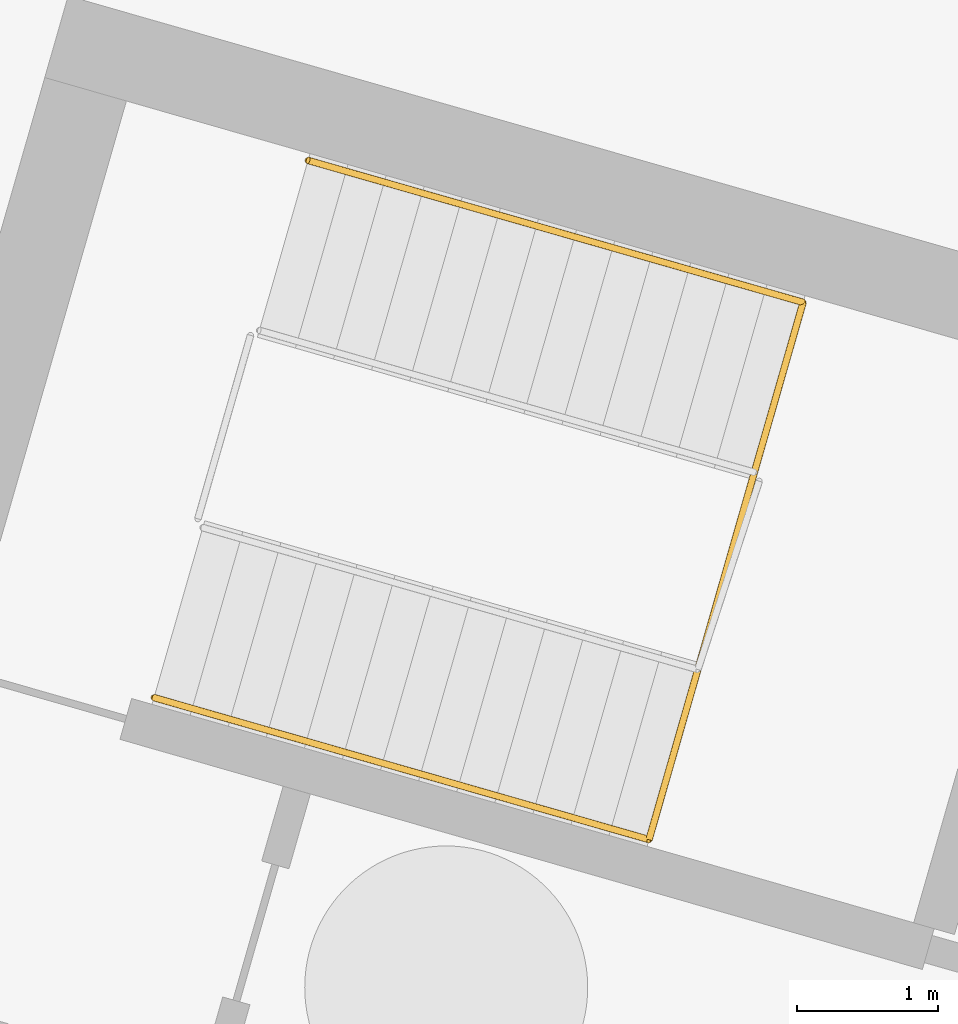
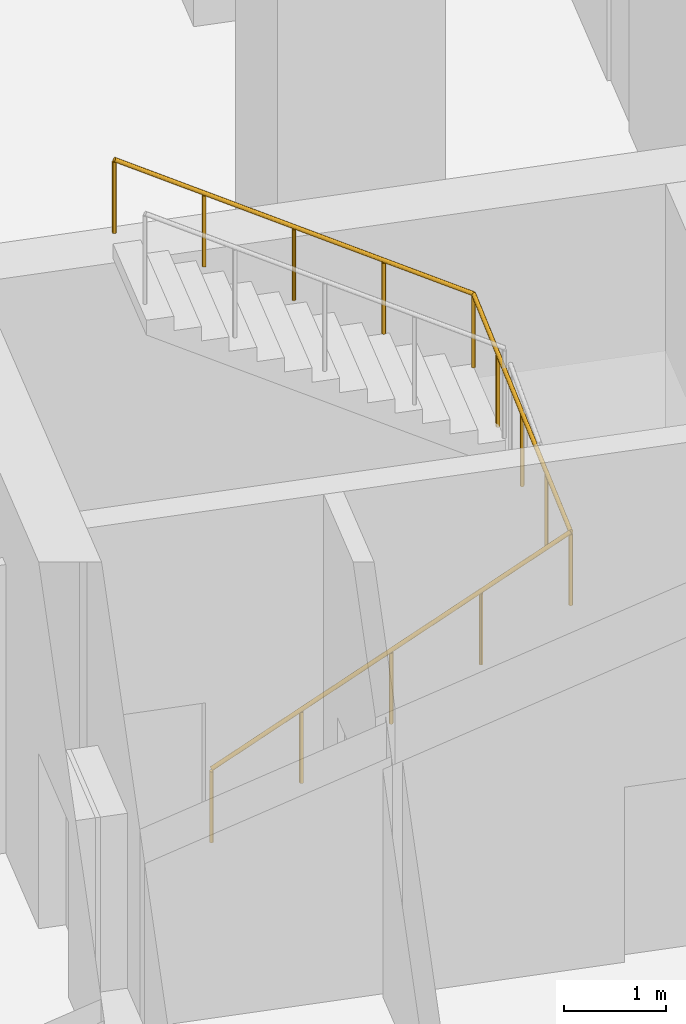
# One storey, part 10 of 11: 1 railing.
"""IFC4 building model written with IfcOpenShell, lengths in metres."""

from ifc_helpers import new_model, si_unit, direction, frame, origin, origin_2d, place, context, subcontext, project, spatial, circle, extrude, material, type_object, element, save


model = new_model("IFC4")

# Units and contexts
model_context = context("Model", 3, precision=1e-05, world=origin(), true_north=direction((0.0, 1.0)))
body_context = subcontext(model_context, "Body", "Model", "MODEL_VIEW")
ifc_project = project(units=[si_unit("LENGTHUNIT", "METRE"), si_unit("AREAUNIT", "SQUARE_METRE"), si_unit("VOLUMEUNIT", "CUBIC_METRE"), si_unit("PLANEANGLEUNIT", "RADIAN"), si_unit("MASSUNIT", "GRAM", prefix="KILO")], contexts=[model_context])

# Site, building, storey
site_placement = place(None, origin())
site = spatial("IfcSite", under=ifc_project, at=site_placement, CompositionType="ELEMENT")
building_placement = place(site_placement, origin())
building = spatial("IfcBuilding", under=site, at=building_placement, Name="Binnacle Exchange Tower", CompositionType="ELEMENT")
storey_placement = place(building_placement, frame((0.0, 0.0, -9.60009765625)))
storey = spatial("IfcBuildingStorey", under=building, at=storey_placement, Name="B2", CompositionType="ELEMENT", Elevation=-9.60009765625)

# Railing
ifc_material = material(Name="Steel handrail", Category="steel")
railing_type = type_object("IfcRailingType", Name="STAIR HANDRAIL 900", PredefinedType="HANDRAIL", material=ifc_material)
railing_placement = place(storey_placement, frame((20.7421875, 55.5087890625, 0.171630859375)))
element("IfcRailing", 1, at=railing_placement, inside=storey, type_object=railing_type, Name="B2 STD1 stair handrail 1", PredefinedType="HANDRAIL", context=body_context, shape_type="SweptSolid", body=[
    extrude(circle(Radius=0.02392578125, at=origin_2d()), frame((0.0, 0.0, 0.8759765625), z_axis=(0.819798076127, -0.235110605881, 0.522162922258), x_axis=(0.27567775811, 0.961250109848, 0.0)), (0.0, 0.0, 1.0), 4.267822265625),
    extrude(circle(Radius=0.02392578125, at=origin_2d()), frame((3.498779296875, -1.00341796875, 3.1044921875), z_axis=(0.275392491312, 0.960354129458, 0.043346531144), x_axis=(-0.961257617982, 0.275651576943, 0.0)), (0.0, 0.0, 1.0), 3.953857421875),
    extrude(circle(Radius=0.02392578125, at=origin_2d()), frame((4.587646484375, 2.793701171875, 3.27587890625), z_axis=(-0.819827857836, 0.235045539202, 0.522145456763), x_axis=(-0.275598008994, -0.961272977587, 0.0)), (0.0, 0.0, 1.0), 4.26806640625),
    extrude(circle(Radius=0.02099609375, at=origin_2d()), origin(), (0.0, 0.0, 1.0), 0.851806640625),
    extrude(circle(Radius=0.02099609375, at=origin_2d()), frame((0.874755859375, -0.2509765625, 0.55712890625)), (0.0, 0.0, 1.0), 0.851806640625),
    extrude(circle(Radius=0.02099609375, at=origin_2d()), frame((1.74951171875, -0.501708984375, 1.1142578125)), (0.0, 0.0, 1.0), 0.851806640625),
    extrude(circle(Radius=0.02099609375, at=origin_2d()), frame((2.6240234375, -0.75244140625, 1.67138671875)), (0.0, 0.0, 1.0), 0.851806640625),
    extrude(circle(Radius=0.02099609375, at=origin_2d()), frame((3.498779296875, -1.00341796875, 2.228515625)), (0.0, 0.0, 1.0), 0.851806640625),
    extrude(circle(Radius=0.02099609375, at=origin_2d()), frame((3.77099609375, -0.05419921875, 2.271484375)), (0.0, 0.0, 1.0), 0.851806640625),
    extrude(circle(Radius=0.02099609375, at=origin_2d()), frame((4.043212890625, 0.89501953125, 2.314208984375)), (0.0, 0.0, 1.0), 0.851806640625),
    extrude(circle(Radius=0.02099609375, at=origin_2d()), frame((4.3154296875, 1.844482421875, 2.35693359375)), (0.0, 0.0, 1.0), 0.851806640625),
    extrude(circle(Radius=0.02099609375, at=origin_2d()), frame((4.587646484375, 2.793701171875, 2.39990234375)), (0.0, 0.0, 1.0), 0.851806640625),
    extrude(circle(Radius=0.02099609375, at=origin_2d()), frame((3.712890625, 3.04443359375, 2.95703125)), (0.0, 0.0, 1.0), 0.851806640625),
    extrude(circle(Radius=0.02099609375, at=origin_2d()), frame((2.838134765625, 3.29541015625, 3.51416015625)), (0.0, 0.0, 1.0), 0.851806640625),
    extrude(circle(Radius=0.02099609375, at=origin_2d()), frame((1.96337890625, 3.546142578125, 4.0712890625)), (0.0, 0.0, 1.0), 0.851806640625),
    extrude(circle(Radius=0.02099609375, at=origin_2d()), frame((1.088623046875, 3.796875, 4.62841796875)), (0.0, 0.0, 1.0), 0.851806640625),
])

save(model, "model.ifc")
